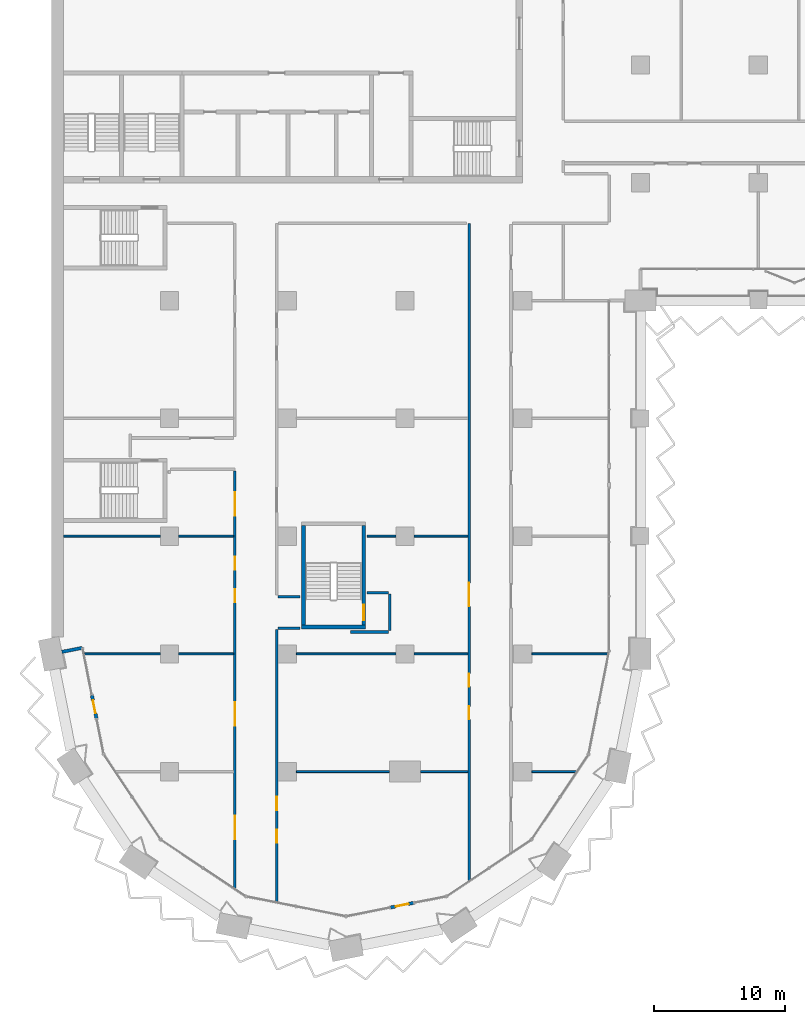
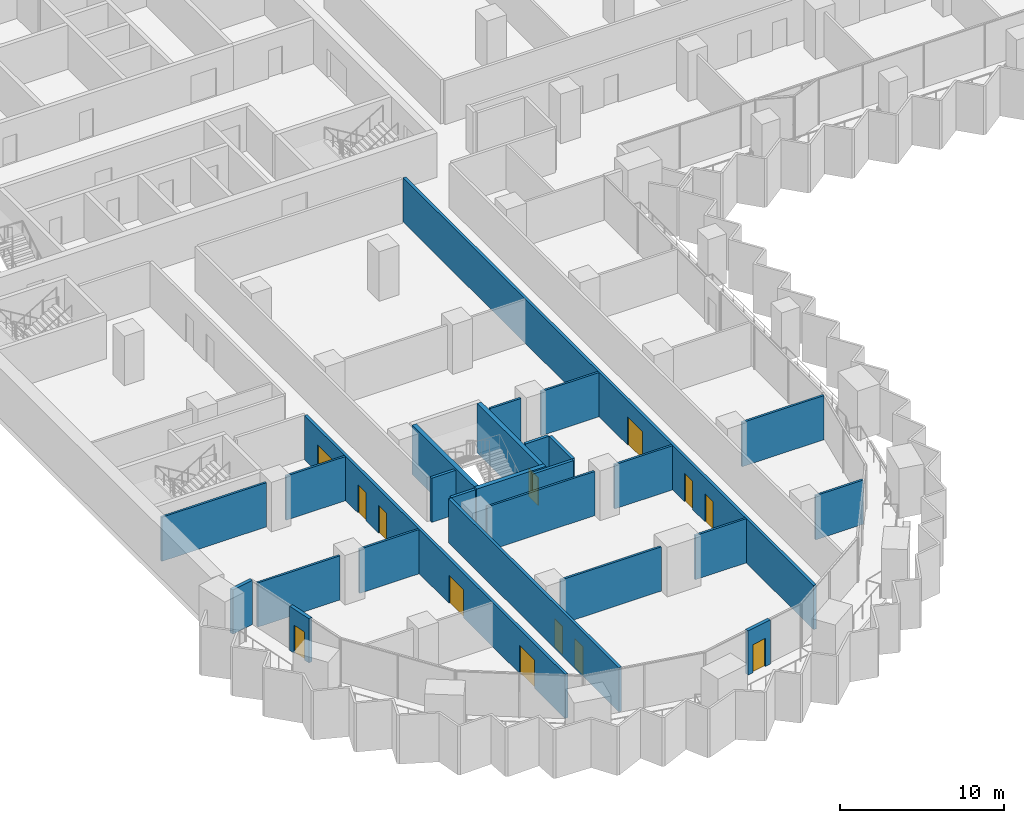
# One storey, part 10 of 28: 26 walls, 13 doors, 13 openings.
"""IFC4 building model written with IfcOpenShell, lengths in metres."""

import ifcopenshell
import ifcopenshell.guid

model = None  # the IFC model being written
_history = None  # IfcOwnerHistory: only IFC2X3 demands one
_inside = {}  # id of a spatial element -> (the spatial element, [elements in it])
_under = {}  # id of a project, library or spatial element -> (it, [spatial elements below it])
_declared = {}  # id of a project -> (the project, [libraries it declares])
_typed = {}  # id of a type object -> (the type object, [elements of that type])
_made_of = {}  # id of a material, layer set ... -> (it, [elements and type objects made of it])


def new_model(schema):
    """Start an empty IFC model of exactly this schema.

    Asked for "IFC4X3", IfcOpenShell would pick the latest addendum, in which some entities
    have other attributes; the version numbers below select the first issue.
    IFC2X3 requires an IfcOwnerHistory on every rooted entity: one is made here for all.
    """
    global model, _history
    if schema == "IFC4X3":
        model = ifcopenshell.file(schema_version=(4, 3, 0, 0))
    else:
        model = ifcopenshell.file(schema=schema)
    _inside.clear()
    _under.clear()
    _declared.clear()
    _typed.clear()
    _made_of.clear()
    _history = None
    if model.schema == "IFC2X3":
        org = make("IfcOrganization", Name="unknown")
        user = make(
            "IfcPersonAndOrganization",
            ThePerson=make("IfcPerson", FamilyName="unknown"),
            TheOrganization=org,
        )
        app = make(
            "IfcApplication",
            ApplicationDeveloper=org,
            Version="unknown",
            ApplicationFullName="unknown",
            ApplicationIdentifier="unknown",
        )
        _history = make(
            "IfcOwnerHistory",
            OwningUser=user,
            OwningApplication=app,
            ChangeAction="ADDED",
            CreationDate=0,
        )
    return model


def make(cls, **values):
    """One entity of the class cls with the attributes given. An attribute that is None is left unset."""
    return model.create_entity(
        cls, **{name: value for name, value in values.items() if value is not None}
    )


def rooted(cls, **values):
    """An entity with a GlobalId (a new one), such as an element, a storey or a relation."""
    return make(cls, GlobalId=ifcopenshell.guid.new(), OwnerHistory=_history, **values)


def si_unit(unit_type, name, prefix=None):
    """IfcSIUnit, for example si_unit("LENGTHUNIT", "METRE", prefix="MILLI")."""
    return make("IfcSIUnit", UnitType=unit_type, Prefix=prefix, Name=name)


def assignment(units):
    """IfcUnitAssignment: the units of a project."""
    return None if units is None else make("IfcUnitAssignment", Units=units)


def point(xyz):
    """IfcCartesianPoint."""
    return None if xyz is None else make("IfcCartesianPoint", Coordinates=xyz)


def direction(xyz):
    """IfcDirection."""
    return None if xyz is None else make("IfcDirection", DirectionRatios=xyz)


def frame(location, z_axis=None, x_axis=None):
    """IfcAxis2Placement3D, a coordinate frame: its origin and axes. An axis left out is left unset."""
    return make(
        "IfcAxis2Placement3D",
        Location=point(location),
        Axis=direction(z_axis),
        RefDirection=direction(x_axis),
    )


def frame_2d(location, x_axis=None):
    """IfcAxis2Placement2D, a coordinate frame in the plane: its origin and x axis."""
    return make(
        "IfcAxis2Placement2D", Location=point(location), RefDirection=direction(x_axis)
    )


def origin():
    """The frame at (0, 0, 0) with its axes left unset."""
    return frame((0.0, 0.0, 0.0))


def place(relative_to, where):
    """IfcLocalPlacement: puts the frame where relative to a parent placement (None: the world)."""
    return make(
        "IfcLocalPlacement", PlacementRelTo=relative_to, RelativePlacement=where
    )


def context(
    kind, dimensions, precision=None, world=None, true_north=None, identifier=None
):
    """IfcGeometricRepresentationContext, for example the 3D "Model" context."""
    return make(
        "IfcGeometricRepresentationContext",
        ContextIdentifier=identifier,
        ContextType=kind,
        CoordinateSpaceDimension=dimensions,
        Precision=precision,
        WorldCoordinateSystem=world,
        TrueNorth=true_north,
    )


def subcontext(parent, identifier, kind, view, scale=None):
    """IfcGeometricRepresentationSubContext, for example "Body" below "Model"."""
    return make(
        "IfcGeometricRepresentationSubContext",
        ContextIdentifier=identifier,
        ContextType=kind,
        ParentContext=parent,
        TargetScale=scale,
        TargetView=view,
    )


def project(units=None, contexts=None):
    """IfcProject with its units and contexts."""
    return rooted(
        "IfcProject",
        Name="project",
        RepresentationContexts=contexts,
        UnitsInContext=assignment(units),
    )


def spatial(cls, under=None, at=None, **own):
    """A site, building, storey or space (cls), placed at a placement, below another one or the project."""
    s = rooted(cls, ObjectPlacement=at, **own)
    if under is not None:
        _under.setdefault(under.id(), (under, []))[1].append(s)
    return s


def profile(cls, at=None, kind="AREA", **sizes):
    """A parametric profile (cls). Its sizes go by their IFC names, for example OverallWidth=200.0."""
    return make(cls, ProfileType=kind, Position=at, **sizes)


def rectangle(**sizes):
    """IfcRectangleProfileDef."""
    return profile("IfcRectangleProfileDef", **sizes)


def extrude(swept, where, along, depth):
    """IfcExtrudedAreaSolid: the profile swept, set in the frame where, extruded along a direction by depth."""
    return make(
        "IfcExtrudedAreaSolid",
        SweptArea=swept,
        Position=where,
        ExtrudedDirection=direction(along),
        Depth=depth,
    )


def shape(context_of_items, identifier, shape_type, items):
    """IfcShapeRepresentation: the items that make up one representation, for example the "Body"."""
    return make(
        "IfcShapeRepresentation",
        ContextOfItems=context_of_items,
        RepresentationIdentifier=identifier,
        RepresentationType=shape_type,
        Items=items,
    )


def material(Name=None, Category=None):
    """IfcMaterial."""
    return make("IfcMaterial", Name=Name, Category=Category)


def layer(
    of_material, thickness, ventilated=None, Name=None, Category=None, Priority=None
):
    """IfcMaterialLayer: one layer of a wall or slab, of a material (None: an air gap)."""
    return make(
        "IfcMaterialLayer",
        Material=of_material,
        LayerThickness=thickness,
        IsVentilated=ventilated,
        Name=Name,
        Category=Category,
        Priority=Priority,
    )


def layer_set(layers, Name=None):
    """IfcMaterialLayerSet."""
    return make("IfcMaterialLayerSet", MaterialLayers=layers, LayerSetName=Name)


def made_of(thing, what):
    """Note that an element or type object is made of a material, layer set ...; save() writes the relation."""
    if what is not None:
        _made_of.setdefault(what.id(), (what, []))[1].append(thing)
    return thing


def type_object(cls, material=None, **own):
    """A type object (cls), such as IfcWallType, which elements share."""
    return made_of(rooted(cls, **own), material)


def element(
    cls,
    number,
    at=None,
    inside=None,
    cuts=None,
    type_object=None,
    material=None,
    context=None,
    identifier="Body",
    shape_type=None,
    held_by="IfcProductDefinitionShape",
    body=None,
    shapes=None,
    **own,
):
    """One element of the class cls, such as IfcWall. Its Tag is "e" and its number.

    at: its placement. inside: the storey or other place that contains it. cuts: it is an
    opening in that element (IfcRelVoidsElement). A single representation is given by context,
    identifier, shape_type and body (its items); several are given by shapes. held_by: the class
    of the entity that holds the representations. save() writes the other relations.
    """
    e = rooted(cls, Tag="e%d" % number, ObjectPlacement=at, **own)
    if body is not None:
        shapes = [shape(context, identifier, shape_type, body)]
    if shapes is not None:
        e.Representation = make(held_by, Representations=shapes)
    if inside is not None:
        _inside.setdefault(inside.id(), (inside, []))[1].append(e)
    if cuts is not None:
        rooted(
            "IfcRelVoidsElement", RelatingBuildingElement=cuts, RelatedOpeningElement=e
        )
    if type_object is not None:
        _typed.setdefault(type_object.id(), (type_object, []))[1].append(e)
    return made_of(e, material)


def fill(opening, filler):
    """IfcRelFillsElement: the door or window that sits in an opening."""
    return rooted(
        "IfcRelFillsElement",
        RelatingOpeningElement=opening,
        RelatedBuildingElement=filler,
    )


def aggregate(whole, parts):
    """IfcRelAggregates: a whole, such as a stair, and the parts it consists of."""
    return rooted("IfcRelAggregates", RelatingObject=whole, RelatedObjects=parts)


def save(model, path):
    """Write the relations noted so far, then the file.

    IfcRelAggregates (storeys below a building ...), IfcRelContainedInSpatialStructure (elements
    in a storey), IfcRelDefinesByType, IfcRelAssociatesMaterial and IfcRelDeclares: one each for
    every whole, place, type object, material and project.
    """
    for whole, parts in _under.values():
        aggregate(whole, parts)
    for where, things in _inside.values():
        rooted(
            "IfcRelContainedInSpatialStructure",
            RelatedElements=things,
            RelatingStructure=where,
        )
    for kind, things in _typed.values():
        rooted("IfcRelDefinesByType", RelatedObjects=things, RelatingType=kind)
    for what, things in _made_of.values():
        rooted("IfcRelAssociatesMaterial", RelatedObjects=things, RelatingMaterial=what)
    for by, libraries in _declared.values():
        rooted("IfcRelDeclares", RelatingContext=by, RelatedDefinitions=libraries)
    model.write(path)


model = new_model("IFC4")

# Units and contexts
model_context = context("Model", 3, precision=1e-05, world=origin(), true_north=direction((0.0, 1.0)))
body_context = subcontext(model_context, "Body", "Model", "MODEL_VIEW")
ifc_project = project(units=[si_unit("LENGTHUNIT", "METRE"), si_unit("AREAUNIT", "SQUARE_METRE"), si_unit("VOLUMEUNIT", "CUBIC_METRE"), si_unit("PLANEANGLEUNIT", "RADIAN"), si_unit("MASSUNIT", "GRAM", prefix="KILO")], contexts=[model_context])

# Site, building, storey
site_placement = place(None, origin())
site = spatial("IfcSite", under=ifc_project, at=site_placement, CompositionType="ELEMENT")
building_placement = place(site_placement, origin())
building = spatial("IfcBuilding", under=site, at=building_placement, Name="Hunhe Ridgeline Campus", CompositionType="ELEMENT")
storey_placement = place(building_placement, frame((0.0, 0.0, 43.199951171875)))
storey = spatial("IfcBuildingStorey", under=building, at=storey_placement, Name="L09", CompositionType="ELEMENT", Elevation=43.199951171875)

# Walls
ifc_material_1 = material(Name="Concrete C30", Category="concrete")
ifc_layer_1 = layer(ifc_material_1, 0.25)
ifc_layer_set_1 = layer_set([ifc_layer_1], Name="Corner return wall 250 Concrete C30")
wall_type_1 = type_object("IfcWallType", Name="Corner return wall 250 Concrete C30", PredefinedType="SOLIDWALL", material=ifc_layer_set_1)
wall_1_placement = place(storey_placement, frame((0.784423828125, 27.15673828125, 0.0), z_axis=(0.0, 0.0, 1.0), x_axis=(0.980826234823, 0.19488431718, 0.0)))
element("IfcWall", 1, at=wall_1_placement, inside=storey, type_object=wall_type_1, Name="Corner return wall 1", PredefinedType="SOLIDWALL", context=body_context, shape_type="SweptSolid", body=[
    extrude(rectangle(XDim=1.60107421875, YDim=0.25, at=frame_2d((0.800537109375, 0.0))), origin(), (0.0, 0.0, 1.0), 3.300048828125),
])
ifc_material_2 = material(Name="Gypsum board partition")
ifc_layer_2 = layer(ifc_material_2, 0.199951171875)
ifc_layer_set_2 = layer_set([ifc_layer_2], Name="Corridor partition 200 gypsum board on steel studs")
wall_type_2 = type_object("IfcWallType", Name="Corridor partition 200 gypsum board on steel studs", PredefinedType="PARTITIONING", material=ifc_layer_set_2)
wall_2_placement = place(storey_placement, frame((25.75, 28.675048828125, 0.0), z_axis=(0.0, 0.0, 1.0), x_axis=(-1.0, 0.0, 0.0)))
element("IfcWall", 2, at=wall_2_placement, inside=storey, type_object=wall_type_2, Name="F-L09-wall-011", PredefinedType="PARTITIONING", context=body_context, shape_type="SweptSolid", body=[
    extrude(rectangle(XDim=2.89990234375, YDim=0.199951171875, at=frame_2d((1.449951171875, 0.0))), origin(), (0.0, 0.0, 1.0), 3.300048828125),
])
for number, where, z_axis, x_axis, name in (
    (3, (18.99609375, 28.97509765625, 0.0), (0.0, 0.0, 1.0), (-1.0, 0.0, 0.0), "F-L09-wall-012"),
    (4, (17.300048828125, 31.375, 0.0), (0.0, 0.0, 1.0), (1.0, 0.0, 0.0), "F-L09-wall-013"),
):
    element("IfcWall", number, at=place(storey_placement, frame(where, z_axis=z_axis, x_axis=x_axis)), inside=storey, type_object=wall_type_2, Name=name, PredefinedType="PARTITIONING", context=body_context, shape_type="SweptSolid", body=[
        extrude(rectangle(XDim=1.696044921875, YDim=0.199951171875, at=frame_2d((0.84814453125, 0.0))), origin(), (0.0, 0.0, 1.0), 3.300048828125),
    ])
wall_3_placement = place(storey_placement, frame((24.10400390625, 31.675048828125, 0.0), z_axis=(0.0, 0.0, 1.0), x_axis=(1.0, 0.0, 0.0)))
element("IfcWall", 5, at=wall_3_placement, inside=storey, type_object=wall_type_2, Name="F-L09-wall-014", PredefinedType="PARTITIONING", context=body_context, shape_type="SweptSolid", body=[
    extrude(rectangle(XDim=1.64599609375, YDim=0.199951171875, at=frame_2d((0.822998046875, 0.0))), origin(), (0.0, 0.0, 1.0), 3.300048828125),
])

# Wall, openings, doors
wall_4_placement = place(storey_placement, frame((14.0, 9.091552734375, 0.0), z_axis=(0.0, 0.0, 1.0), x_axis=(0.0, 1.0, 0.0)))
wall_4 = element("IfcWall", 6, at=wall_4_placement, inside=storey, type_object=wall_type_2, Name="F-L09-wall-046", PredefinedType="PARTITIONING", context=body_context, shape_type="SweptSolid", body=[
    extrude(rectangle(XDim=31.8798828125, YDim=0.199951171875, at=frame_2d((15.93994140625, 0.0))), origin(), (0.0, 0.0, 1.0), 3.300048828125),
])
opening_1_placement = place(wall_4_placement, frame((3.743896484375, 0.0, 0.0)))
opening_1 = element("IfcOpeningElement", 7, at=opening_1_placement, cuts=wall_4, Name="Opening RD2-002", PredefinedType="OPENING", context=body_context, shape_type="SweptSolid", body=[
    extrude(rectangle(XDim=1.800048828125, YDim=2.10009765625, at=frame_2d((0.89990234375, 1.050048828125))), frame((0.0, 0.10009765625, 0.0), z_axis=(0.0, -1.0, 0.0), x_axis=(1.0, 0.0, 0.0)), (0.0, 0.0, 1.0), 0.199951171875),
])
opening_2_placement = place(wall_4_placement, frame((12.404296875, 0.0, 0.0)))
opening_2 = element("IfcOpeningElement", 8, at=opening_2_placement, cuts=wall_4, Name="Opening RD2-005", PredefinedType="OPENING", context=body_context, shape_type="SweptSolid", body=[
    extrude(rectangle(XDim=1.800048828125, YDim=2.10009765625, at=frame_2d((0.89990234375, 1.050048828125))), frame((0.0, 0.10009765625, 0.0), z_axis=(0.0, -1.0, 0.0), x_axis=(1.0, 0.0, 0.0)), (0.0, 0.0, 1.0), 0.199951171875),
])
opening_3_placement = place(wall_4_placement, frame((21.841064453125, 0.0, 0.0)))
opening_3 = element("IfcOpeningElement", 9, at=opening_3_placement, cuts=wall_4, Name="Opening RD1-009", PredefinedType="OPENING", context=body_context, shape_type="SweptSolid", body=[
    extrude(rectangle(XDim=1.0, YDim=2.10009765625, at=frame_2d((0.5, 1.050048828125))), frame((0.0, 0.10009765625, 0.0), z_axis=(0.0, -1.0, 0.0), x_axis=(1.0, 0.0, 0.0)), (0.0, 0.0, 1.0), 0.199951171875),
])
opening_4_placement = place(wall_4_placement, frame((24.341064453125, 0.0, 0.0)))
opening_4 = element("IfcOpeningElement", 10, at=opening_4_placement, cuts=wall_4, Name="Opening RD1-012", PredefinedType="OPENING", context=body_context, shape_type="SweptSolid", body=[
    extrude(rectangle(XDim=1.0, YDim=2.10009765625, at=frame_2d((0.5, 1.050048828125))), frame((0.0, 0.10009765625, 0.0), z_axis=(0.0, -1.0, 0.0), x_axis=(1.0, 0.0, 0.0)), (0.0, 0.0, 1.0), 0.199951171875),
])
opening_5_placement = place(wall_4_placement, frame((28.469482421875, 0.0, 0.0)))
opening_5 = element("IfcOpeningElement", 11, at=opening_5_placement, cuts=wall_4, Name="Opening RD2-013", PredefinedType="OPENING", context=body_context, shape_type="SweptSolid", body=[
    extrude(rectangle(XDim=1.800048828125, YDim=2.10009765625, at=frame_2d((0.89990234375, 1.050048828125))), frame((0.0, 0.10009765625, 0.0), z_axis=(0.0, -1.0, 0.0), x_axis=(1.0, 0.0, 0.0)), (0.0, 0.0, 1.0), 0.199951171875),
])
ifc_material_3 = material(Name="Timber door leaf", Category="wood")
door_type_1 = type_object("IfcDoorType", Name="Double fire door 1800x2100 timber FD60", OperationType="DOUBLE_DOOR_SINGLE_SWING", PredefinedType="DOOR", material=ifc_material_3)
door_1_placement = place(opening_1_placement, origin())
door_1 = element("IfcDoor", 12, at=door_1_placement, inside=storey, type_object=door_type_1, Name="F-L09-door-002", OperationType="DOUBLE_DOOR_SINGLE_SWING", OverallHeight=2.10009765625, OverallWidth=1.800048828125, PredefinedType="DOOR", context=body_context, shape_type="SweptSolid", body=[
    extrude(rectangle(XDim=1.800048828125, YDim=2.10009765625, at=frame_2d((0.89990234375, 1.050048828125))), frame((0.0, 0.02490234375, 0.0), z_axis=(0.0, -1.0, 0.0), x_axis=(1.0, 0.0, 0.0)), (0.0, 0.0, 1.0), 0.050048828125),
])
fill(opening_1, door_1)
door_2_placement = place(opening_2_placement, origin())
door_2 = element("IfcDoor", 13, at=door_2_placement, inside=storey, type_object=door_type_1, Name="F-L09-door-005", OperationType="DOUBLE_DOOR_SINGLE_SWING", OverallHeight=2.10009765625, OverallWidth=1.800048828125, PredefinedType="DOOR", context=body_context, shape_type="SweptSolid", body=[
    extrude(rectangle(XDim=1.800048828125, YDim=2.10009765625, at=frame_2d((0.89990234375, 1.050048828125))), frame((0.0, 0.02490234375, 0.0), z_axis=(0.0, -1.0, 0.0), x_axis=(1.0, 0.0, 0.0)), (0.0, 0.0, 1.0), 0.050048828125),
])
fill(opening_2, door_2)
door_3_placement = place(opening_5_placement, origin())
door_3 = element("IfcDoor", 14, at=door_3_placement, inside=storey, type_object=door_type_1, Name="F-L09-door-013", OperationType="DOUBLE_DOOR_SINGLE_SWING", OverallHeight=2.10009765625, OverallWidth=1.800048828125, PredefinedType="DOOR", context=body_context, shape_type="SweptSolid", body=[
    extrude(rectangle(XDim=1.800048828125, YDim=2.10009765625, at=frame_2d((0.89990234375, 1.050048828125))), frame((0.0, 0.02490234375, 0.0), z_axis=(0.0, -1.0, 0.0), x_axis=(1.0, 0.0, 0.0)), (0.0, 0.0, 1.0), 0.050048828125),
])
fill(opening_5, door_3)
door_type_2 = type_object("IfcDoorType", Name="Single fire door 1000x2100 timber FD60", OperationType="NOTDEFINED", PredefinedType="DOOR", material=ifc_material_3)
door_4_placement = place(opening_3_placement, frame((1.0, 0.0, 0.0), z_axis=(0.0, 0.0, 1.0), x_axis=(-1.0, 0.0, 0.0)))
door_4 = element("IfcDoor", 15, at=door_4_placement, inside=storey, type_object=door_type_2, Name="F-L09-door-009", OperationType="SINGLE_SWING_LEFT", OverallHeight=2.10009765625, OverallWidth=1.0, PredefinedType="DOOR", context=body_context, shape_type="SweptSolid", body=[
    extrude(rectangle(XDim=1.0, YDim=2.10009765625, at=frame_2d((0.5, 1.050048828125))), frame((0.0, 0.02490234375, 0.0), z_axis=(0.0, -1.0, 0.0), x_axis=(1.0, 0.0, 0.0)), (0.0, 0.0, 1.0), 0.050048828125),
])
fill(opening_3, door_4)
door_5_placement = place(opening_4_placement, frame((1.0, 0.0, 0.0), z_axis=(0.0, 0.0, 1.0), x_axis=(-1.0, 0.0, 0.0)))
door_5 = element("IfcDoor", 16, at=door_5_placement, inside=storey, type_object=door_type_2, Name="F-L09-door-012", OperationType="SINGLE_SWING_LEFT", OverallHeight=2.10009765625, OverallWidth=1.0, PredefinedType="DOOR", context=body_context, shape_type="SweptSolid", body=[
    extrude(rectangle(XDim=1.0, YDim=2.10009765625, at=frame_2d((0.5, 1.050048828125))), frame((0.0, 0.02490234375, 0.0), z_axis=(0.0, -1.0, 0.0), x_axis=(1.0, 0.0, 0.0)), (0.0, 0.0, 1.0), 0.050048828125),
])
fill(opening_4, door_5)

wall_5_placement = place(storey_placement, frame((17.199951171875, 28.875, 0.0), z_axis=(0.0, 0.0, 1.0), x_axis=(0.0, -1.0, 0.0)))
wall_5 = element("IfcWall", 17, at=wall_5_placement, inside=storey, type_object=wall_type_2, Name="F-L09-wall-048", PredefinedType="PARTITIONING", context=body_context, shape_type="SweptSolid", body=[
    extrude(rectangle(XDim=20.817626953125, YDim=0.199951171875, at=frame_2d((10.40869140625, 0.0))), origin(), (0.0, 0.0, 1.0), 3.300048828125),
])
opening_6_placement = place(wall_5_placement, frame((15.301513671875, 0.0, 0.0)))
opening_6 = element("IfcOpeningElement", 18, at=opening_6_placement, cuts=wall_5, Name="Opening RD1-001", PredefinedType="OPENING", context=body_context, shape_type="SweptSolid", body=[
    extrude(rectangle(XDim=1.0, YDim=2.10009765625, at=frame_2d((0.5, 1.050048828125))), frame((0.0, 0.10009765625, 0.0), z_axis=(0.0, -1.0, 0.0), x_axis=(1.0, 0.0, 0.0)), (0.0, 0.0, 1.0), 0.199951171875),
])
opening_7_placement = place(wall_5_placement, frame((12.801513671875, 0.0, 0.0)))
opening_7 = element("IfcOpeningElement", 19, at=opening_7_placement, cuts=wall_5, Name="Opening RD1-004", PredefinedType="OPENING", context=body_context, shape_type="SweptSolid", body=[
    extrude(rectangle(XDim=1.0, YDim=2.10009765625, at=frame_2d((0.5, 1.050048828125))), frame((0.0, 0.10009765625, 0.0), z_axis=(0.0, -1.0, 0.0), x_axis=(1.0, 0.0, 0.0)), (0.0, 0.0, 1.0), 0.199951171875),
])
door_6_placement = place(opening_6_placement, frame((1.0, 0.0, 0.0), z_axis=(0.0, 0.0, 1.0), x_axis=(-1.0, 0.0, 0.0)))
door_6 = element("IfcDoor", 20, at=door_6_placement, inside=storey, type_object=door_type_2, Name="F-L09-door-001", OperationType="SINGLE_SWING_LEFT", OverallHeight=2.10009765625, OverallWidth=1.0, PredefinedType="DOOR", context=body_context, shape_type="SweptSolid", body=[
    extrude(rectangle(XDim=1.0, YDim=2.10009765625, at=frame_2d((0.5, 1.050048828125))), frame((0.0, 0.02490234375, 0.0), z_axis=(0.0, -1.0, 0.0), x_axis=(1.0, 0.0, 0.0)), (0.0, 0.0, 1.0), 0.050048828125),
])
fill(opening_6, door_6)
door_7_placement = place(opening_7_placement, frame((1.0, 0.0, 0.0), z_axis=(0.0, 0.0, 1.0), x_axis=(-1.0, 0.0, 0.0)))
door_7 = element("IfcDoor", 21, at=door_7_placement, inside=storey, type_object=door_type_2, Name="F-L09-door-004", OperationType="SINGLE_SWING_RIGHT", OverallHeight=2.10009765625, OverallWidth=1.0, PredefinedType="DOOR", context=body_context, shape_type="SweptSolid", body=[
    extrude(rectangle(XDim=1.0, YDim=2.10009765625, at=frame_2d((0.5, 1.050048828125))), frame((0.0, 0.02490234375, 0.0), z_axis=(0.0, -1.0, 0.0), x_axis=(1.0, 0.0, 0.0)), (0.0, 0.0, 1.0), 0.050048828125),
])
fill(opening_7, door_7)

# Wall
wall_6_placement = place(storey_placement, frame((25.85009765625, 31.574951171875, 0.0), z_axis=(0.0, 0.0, 1.0), x_axis=(0.0, -1.0, 0.0)))
element("IfcWall", 22, at=wall_6_placement, inside=storey, type_object=wall_type_2, Name="F-L09-wall-050", PredefinedType="PARTITIONING", context=body_context, shape_type="SweptSolid", body=[
    extrude(rectangle(XDim=2.800048828125, YDim=0.199951171875, at=frame_2d((1.39990234375, 0.0))), origin(), (0.0, 0.0, 1.0), 3.300048828125),
])

# Wall, openings, doors
wall_7_placement = place(storey_placement, frame((31.89990234375, 9.69287109375, 0.0), z_axis=(0.0, 0.0, 1.0), x_axis=(0.0, 1.0, 0.0)))
wall_7 = element("IfcWall", 23, at=wall_7_placement, inside=storey, type_object=wall_type_2, Name="F-L09-wall-051", PredefinedType="PARTITIONING", context=body_context, shape_type="SweptSolid", body=[
    extrude(rectangle(XDim=50.20703125, YDim=0.199951171875, at=frame_2d((25.103515625, 0.0))), origin(), (0.0, 0.0, 1.0), 3.300048828125),
])
opening_8_placement = place(wall_7_placement, frame((12.302734375, 0.0, 0.0)))
opening_8 = element("IfcOpeningElement", 24, at=opening_8_placement, cuts=wall_7, Name="Opening RD1-007", PredefinedType="OPENING", context=body_context, shape_type="SweptSolid", body=[
    extrude(rectangle(XDim=1.0, YDim=2.10009765625, at=frame_2d((0.5, 1.050048828125))), frame((0.0, 0.10009765625, 0.0), z_axis=(0.0, -1.0, 0.0), x_axis=(1.0, 0.0, 0.0)), (0.0, 0.0, 1.0), 0.199951171875),
])
opening_9_placement = place(wall_7_placement, frame((14.802734375, 0.0, 0.0)))
opening_9 = element("IfcOpeningElement", 25, at=opening_9_placement, cuts=wall_7, Name="Opening RD1-008", PredefinedType="OPENING", context=body_context, shape_type="SweptSolid", body=[
    extrude(rectangle(XDim=1.0, YDim=2.10009765625, at=frame_2d((0.5, 1.050048828125))), frame((0.0, 0.10009765625, 0.0), z_axis=(0.0, -1.0, 0.0), x_axis=(1.0, 0.0, 0.0)), (0.0, 0.0, 1.0), 0.199951171875),
])
opening_10_placement = place(wall_7_placement, frame((20.940185546875, 0.0, 0.0)))
opening_10 = element("IfcOpeningElement", 26, at=opening_10_placement, cuts=wall_7, Name="Opening RD2-011", PredefinedType="OPENING", context=body_context, shape_type="SweptSolid", body=[
    extrude(rectangle(XDim=1.800048828125, YDim=2.10009765625, at=frame_2d((0.89990234375, 1.050048828125))), frame((0.0, 0.10009765625, 0.0), z_axis=(0.0, -1.0, 0.0), x_axis=(1.0, 0.0, 0.0)), (0.0, 0.0, 1.0), 0.199951171875),
])
door_8_placement = place(opening_10_placement, origin())
door_8 = element("IfcDoor", 27, at=door_8_placement, inside=storey, type_object=door_type_1, Name="F-L09-door-011", OperationType="DOUBLE_DOOR_SINGLE_SWING", OverallHeight=2.10009765625, OverallWidth=1.800048828125, PredefinedType="DOOR", context=body_context, shape_type="SweptSolid", body=[
    extrude(rectangle(XDim=1.800048828125, YDim=2.10009765625, at=frame_2d((0.89990234375, 1.050048828125))), frame((0.0, 0.02490234375, 0.0), z_axis=(0.0, -1.0, 0.0), x_axis=(1.0, 0.0, 0.0)), (0.0, 0.0, 1.0), 0.050048828125),
])
fill(opening_10, door_8)
door_9_placement = place(opening_8_placement, frame((1.0, 0.0, 0.0), z_axis=(0.0, 0.0, 1.0), x_axis=(-1.0, 0.0, 0.0)))
door_9 = element("IfcDoor", 28, at=door_9_placement, inside=storey, type_object=door_type_2, Name="F-L09-door-007", OperationType="SINGLE_SWING_LEFT", OverallHeight=2.10009765625, OverallWidth=1.0, PredefinedType="DOOR", context=body_context, shape_type="SweptSolid", body=[
    extrude(rectangle(XDim=1.0, YDim=2.10009765625, at=frame_2d((0.5, 1.050048828125))), frame((0.0, 0.02490234375, 0.0), z_axis=(0.0, -1.0, 0.0), x_axis=(1.0, 0.0, 0.0)), (0.0, 0.0, 1.0), 0.050048828125),
])
fill(opening_8, door_9)
door_10_placement = place(opening_9_placement, frame((1.0, 0.0, 0.0), z_axis=(0.0, 0.0, 1.0), x_axis=(-1.0, 0.0, 0.0)))
door_10 = element("IfcDoor", 29, at=door_10_placement, inside=storey, type_object=door_type_2, Name="F-L09-door-008", OperationType="SINGLE_SWING_LEFT", OverallHeight=2.10009765625, OverallWidth=1.0, PredefinedType="DOOR", context=body_context, shape_type="SweptSolid", body=[
    extrude(rectangle(XDim=1.0, YDim=2.10009765625, at=frame_2d((0.5, 1.050048828125))), frame((0.0, 0.02490234375, 0.0), z_axis=(0.0, -1.0, 0.0), x_axis=(1.0, 0.0, 0.0)), (0.0, 0.0, 1.0), 0.050048828125),
])
fill(opening_9, door_10)

# Wall, opening, door
ifc_layer_3 = layer(ifc_material_1, 0.25)
ifc_layer_set_3 = layer_set([ifc_layer_3], Name="Loggia door pier wall 250 Concrete C30")
wall_type_3 = type_object("IfcWallType", Name="Loggia door pier wall 250 Concrete C30", PredefinedType="SOLIDWALL", material=ifc_layer_set_3)
wall_8_placement = place(storey_placement, frame((3.076904296875, 23.8388671875, 0.0), z_axis=(0.0, 0.0, 1.0), x_axis=(0.195046569833, -0.980793982239, 0.0)))
wall_8 = element("IfcWall", 30, at=wall_8_placement, inside=storey, type_object=wall_type_3, Name="Loggia door pier 1", PredefinedType="SOLIDWALL", context=body_context, shape_type="SweptSolid", body=[
    extrude(rectangle(XDim=1.800048828125, YDim=0.25, at=frame_2d((0.89990234375, 0.0))), origin(), (0.0, 0.0, 1.0), 3.300048828125),
])
opening_11_placement = place(wall_8_placement, frame((0.39990234375, 0.0, 0.0)))
opening_11 = element("IfcOpeningElement", 31, at=opening_11_placement, cuts=wall_8, Name="Opening BD101", PredefinedType="OPENING", context=body_context, shape_type="SweptSolid", body=[
    extrude(rectangle(XDim=1.0, YDim=2.10009765625, at=frame_2d((0.5, 1.050048828125))), frame((0.0, 0.125, 0.0), z_axis=(0.0, -1.0, 0.0), x_axis=(1.0, 0.0, 0.0)), (0.0, 0.0, 1.0), 0.25),
])
ifc_material_4 = material(Name="Aluminium 6063", Category="aluminium")
door_type_3 = type_object("IfcDoorType", Name="Loggia glazed door 1000x2100", OperationType="NOTDEFINED", PredefinedType="DOOR", material=ifc_material_4)
door_11_placement = place(opening_11_placement, frame((1.0, 0.0, 0.0), z_axis=(0.0, 0.0, 1.0), x_axis=(-1.0, 0.0, 0.0)))
door_11 = element("IfcDoor", 32, at=door_11_placement, inside=storey, type_object=door_type_3, Name="Loggia door BD101", OperationType="SINGLE_SWING_RIGHT", OverallHeight=2.10009765625, OverallWidth=1.0, PredefinedType="DOOR", context=body_context, shape_type="SweptSolid", body=[
    extrude(rectangle(XDim=1.0, YDim=2.10009765625, at=frame_2d((0.5, 1.050048828125))), frame((0.0, 0.02490234375, 0.0), z_axis=(0.0, -1.0, 0.0), x_axis=(1.0, 0.0, 0.0)), (0.0, 0.0, 1.0), 0.050048828125),
])
fill(opening_11, door_11)

wall_9_placement = place(storey_placement, frame((25.8955078125, 7.62353515625, 0.0), z_axis=(0.0, 0.0, 1.0), x_axis=(0.980793982239, 0.195046569833, 0.0)))
wall_9 = element("IfcWall", 33, at=wall_9_placement, inside=storey, type_object=wall_type_3, Name="Loggia door pier 2", PredefinedType="SOLIDWALL", context=body_context, shape_type="SweptSolid", body=[
    extrude(rectangle(XDim=1.800048828125, YDim=0.25, at=frame_2d((0.89990234375, 0.0))), origin(), (0.0, 0.0, 1.0), 3.300048828125),
])
opening_12_placement = place(wall_9_placement, frame((0.39990234375, 0.0, 0.0)))
opening_12 = element("IfcOpeningElement", 34, at=opening_12_placement, cuts=wall_9, Name="Opening BD103", PredefinedType="OPENING", context=body_context, shape_type="SweptSolid", body=[
    extrude(rectangle(XDim=1.0, YDim=2.10009765625, at=frame_2d((0.5, 1.050048828125))), frame((0.0, 0.125, 0.0), z_axis=(0.0, -1.0, 0.0), x_axis=(1.0, 0.0, 0.0)), (0.0, 0.0, 1.0), 0.25),
])
door_12_placement = place(opening_12_placement, frame((1.0, 0.0, 0.0), z_axis=(0.0, 0.0, 1.0), x_axis=(-1.0, 0.0, 0.0)))
door_12 = element("IfcDoor", 35, at=door_12_placement, inside=storey, type_object=door_type_3, Name="Loggia door BD103", OperationType="SINGLE_SWING_RIGHT", OverallHeight=2.10009765625, OverallWidth=1.0, PredefinedType="DOOR", context=body_context, shape_type="SweptSolid", body=[
    extrude(rectangle(XDim=1.0, YDim=2.10009765625, at=frame_2d((0.5, 1.050048828125))), frame((0.0, 0.02490234375, 0.0), z_axis=(0.0, -1.0, 0.0), x_axis=(1.0, 0.0, 0.0)), (0.0, 0.0, 1.0), 0.050048828125),
])
fill(opening_12, door_12)

# Walls
ifc_layer_4 = layer(ifc_material_2, 0.14990234375)
ifc_layer_set_4 = layer_set([ifc_layer_4], Name="Room partition 150 gypsum board on steel studs")
wall_type_4 = type_object("IfcWallType", Name="Room partition 150 gypsum board on steel studs", PredefinedType="PARTITIONING", material=ifc_layer_set_4)
wall_10_placement = place(storey_placement, frame((18.699951171875, 18.0, 0.0), z_axis=(0.0, 0.0, 1.0), x_axis=(1.0, 0.0, 0.0)))
element("IfcWall", 36, at=wall_10_placement, inside=storey, type_object=wall_type_4, Name="F-L09-wall-003", PredefinedType="PARTITIONING", context=body_context, shape_type="SweptSolid", body=[
    extrude(rectangle(XDim=7.10009765625, YDim=0.14990234375, at=frame_2d((3.550048828125, 0.0))), origin(), (0.0, 0.0, 1.0), 3.300048828125),
])
wall_11_placement = place(storey_placement, frame((28.199951171875, 18.0, 0.0), z_axis=(0.0, 0.0, 1.0), x_axis=(1.0, 0.0, 0.0)))
element("IfcWall", 37, at=wall_11_placement, inside=storey, type_object=wall_type_4, Name="F-L09-wall-004", PredefinedType="PARTITIONING", context=body_context, shape_type="SweptSolid", body=[
    extrude(rectangle(XDim=3.60009765625, YDim=0.14990234375, at=frame_2d((1.800048828125, 0.0))), origin(), (0.0, 0.0, 1.0), 3.300048828125),
])
wall_12_placement = place(storey_placement, frame((36.699951171875, 18.0, 0.0), z_axis=(0.0, 0.0, 1.0), x_axis=(1.0, 0.0, 0.0)))
element("IfcWall", 38, at=wall_12_placement, inside=storey, type_object=wall_type_4, Name="F-L09-wall-005", PredefinedType="PARTITIONING", context=body_context, shape_type="SweptSolid", body=[
    extrude(rectangle(XDim=3.37451171875, YDim=0.14990234375, at=frame_2d((1.687255859375, 0.0))), origin(), (0.0, 0.0, 1.0), 3.300048828125),
])
wall_13_placement = place(storey_placement, frame((2.503173828125, 27.0, 0.0), z_axis=(0.0, 0.0, 1.0), x_axis=(1.0, 0.0, 0.0)))
element("IfcWall", 39, at=wall_13_placement, inside=storey, type_object=wall_type_4, Name="F-L09-wall-006", PredefinedType="PARTITIONING", context=body_context, shape_type="SweptSolid", body=[
    extrude(rectangle(XDim=5.796875, YDim=0.14990234375, at=frame_2d((2.8984375, 0.0))), origin(), (0.0, 0.0, 1.0), 3.300048828125),
])
wall_14_placement = place(storey_placement, frame((9.699951171875, 27.0, 0.0), z_axis=(0.0, 0.0, 1.0), x_axis=(1.0, 0.0, 0.0)))
element("IfcWall", 40, at=wall_14_placement, inside=storey, type_object=wall_type_4, Name="F-L09-wall-007", PredefinedType="PARTITIONING", context=body_context, shape_type="SweptSolid", body=[
    extrude(rectangle(XDim=4.199951171875, YDim=0.14990234375, at=frame_2d((2.10009765625, 0.0))), origin(), (0.0, 0.0, 1.0), 3.300048828125),
])
wall_15_placement = place(storey_placement, frame((18.699951171875, 27.0, 0.0), z_axis=(0.0, 0.0, 1.0), x_axis=(1.0, 0.0, 0.0)))
element("IfcWall", 41, at=wall_15_placement, inside=storey, type_object=wall_type_4, Name="F-L09-wall-008", PredefinedType="PARTITIONING", context=body_context, shape_type="SweptSolid", body=[
    extrude(rectangle(XDim=7.60009765625, YDim=0.14990234375, at=frame_2d((3.800048828125, 0.0))), origin(), (0.0, 0.0, 1.0), 3.300048828125),
])
wall_16_placement = place(storey_placement, frame((27.699951171875, 27.0, 0.0), z_axis=(0.0, 0.0, 1.0), x_axis=(1.0, 0.0, 0.0)))
element("IfcWall", 42, at=wall_16_placement, inside=storey, type_object=wall_type_4, Name="F-L09-wall-009", PredefinedType="PARTITIONING", context=body_context, shape_type="SweptSolid", body=[
    extrude(rectangle(XDim=4.10009765625, YDim=0.14990234375, at=frame_2d((2.050048828125, 0.0))), origin(), (0.0, 0.0, 1.0), 3.300048828125),
])
wall_17_placement = place(storey_placement, frame((36.699951171875, 27.0, 0.0), z_axis=(0.0, 0.0, 1.0), x_axis=(1.0, 0.0, 0.0)))
element("IfcWall", 43, at=wall_17_placement, inside=storey, type_object=wall_type_4, Name="F-L09-wall-010", PredefinedType="PARTITIONING", context=body_context, shape_type="SweptSolid", body=[
    extrude(rectangle(XDim=5.796875, YDim=0.14990234375, at=frame_2d((2.8984375, 0.0))), origin(), (0.0, 0.0, 1.0), 3.300048828125),
])
wall_18_placement = place(storey_placement, frame((0.919921875, 36.0, 0.0), z_axis=(0.0, 0.0, 1.0), x_axis=(1.0, 0.0, 0.0)))
element("IfcWall", 44, at=wall_18_placement, inside=storey, type_object=wall_type_4, Name="F-L09-wall-015", PredefinedType="PARTITIONING", context=body_context, shape_type="SweptSolid", body=[
    extrude(rectangle(XDim=7.380126953125, YDim=0.14990234375, at=frame_2d((3.68994140625, 0.0))), origin(), (0.0, 0.0, 1.0), 3.300048828125),
])
wall_19_placement = place(storey_placement, frame((9.699951171875, 36.0, 0.0), z_axis=(0.0, 0.0, 1.0), x_axis=(1.0, 0.0, 0.0)))
element("IfcWall", 45, at=wall_19_placement, inside=storey, type_object=wall_type_4, Name="F-L09-wall-016", PredefinedType="PARTITIONING", context=body_context, shape_type="SweptSolid", body=[
    extrude(rectangle(XDim=4.199951171875, YDim=0.14990234375, at=frame_2d((2.10009765625, 0.0))), origin(), (0.0, 0.0, 1.0), 3.300048828125),
])
wall_20_placement = place(storey_placement, frame((24.10400390625, 36.0, 0.0), z_axis=(0.0, 0.0, 1.0), x_axis=(1.0, 0.0, 0.0)))
element("IfcWall", 46, at=wall_20_placement, inside=storey, type_object=wall_type_4, Name="F-L09-wall-017", PredefinedType="PARTITIONING", context=body_context, shape_type="SweptSolid", body=[
    extrude(rectangle(XDim=2.196044921875, YDim=0.14990234375, at=frame_2d((1.09814453125, 0.0))), origin(), (0.0, 0.0, 1.0), 3.300048828125),
])
wall_21_placement = place(storey_placement, frame((27.699951171875, 36.0, 0.0), z_axis=(0.0, 0.0, 1.0), x_axis=(1.0, 0.0, 0.0)))
element("IfcWall", 47, at=wall_21_placement, inside=storey, type_object=wall_type_4, Name="F-L09-wall-018", PredefinedType="PARTITIONING", context=body_context, shape_type="SweptSolid", body=[
    extrude(rectangle(XDim=4.10009765625, YDim=0.14990234375, at=frame_2d((2.050048828125, 0.0))), origin(), (0.0, 0.0, 1.0), 3.300048828125),
])
ifc_material_5 = material(Name="Concrete C80", Category="concrete")
ifc_layer_5 = layer(ifc_material_5, 0.300048828125)
ifc_layer_set_5 = layer_set([ifc_layer_5], Name="Stair wall 300 reinforced concrete C80")
wall_type_5 = type_object("IfcWallType", Name="Stair wall 300 reinforced concrete C80", PredefinedType="SOLIDWALL", material=ifc_layer_set_5)
wall_22_placement = place(storey_placement, frame((19.10009765625, 29.050048828125, -0.39990234375), z_axis=(0.0, 0.0, 1.0), x_axis=(1.0, 0.0, 0.0)))
element("IfcWall", 48, at=wall_22_placement, inside=storey, type_object=wall_type_5, Name="L09 core wall 1", PredefinedType="SOLIDWALL", context=body_context, shape_type="SweptSolid", body=[
    extrude(rectangle(XDim=4.89990234375, YDim=0.300048828125, at=frame_2d((2.449951171875, 0.0))), origin(), (0.0, 0.0, 1.0), 3.699951171875),
])
wall_23_placement = place(storey_placement, frame((19.25, 29.199951171875, -0.39990234375), z_axis=(0.0, 0.0, 1.0), x_axis=(0.0, 1.0, 0.0)))
element("IfcWall", 49, at=wall_23_placement, inside=storey, type_object=wall_type_5, Name="L09 core wall 51", PredefinedType="SOLIDWALL", context=body_context, shape_type="SweptSolid", body=[
    extrude(rectangle(XDim=7.60009765625, YDim=0.300048828125, at=frame_2d((3.800048828125, 0.0))), origin(), (0.0, 0.0, 1.0), 3.699951171875),
])

# Wall, opening, door
wall_24_placement = place(storey_placement, frame((23.85009765625, 29.199951171875, -0.39990234375), z_axis=(0.0, 0.0, 1.0), x_axis=(0.0, 1.0, 0.0)))
wall_24 = element("IfcWall", 50, at=wall_24_placement, inside=storey, type_object=wall_type_5, Name="L09 core wall 56", PredefinedType="SOLIDWALL", context=body_context, shape_type="SweptSolid", body=[
    extrude(rectangle(XDim=7.60009765625, YDim=0.300048828125, at=frame_2d((3.800048828125, 0.0))), origin(), (0.0, 0.0, 1.0), 3.699951171875),
])
opening_13_placement = place(wall_24_placement, frame((0.375, 0.0, 0.39990234375)))
opening_13 = element("IfcOpeningElement", 51, at=opening_13_placement, cuts=wall_24, Name="Opening CD23", PredefinedType="OPENING", context=body_context, shape_type="SweptSolid", body=[
    extrude(rectangle(XDim=1.199951171875, YDim=2.10009765625, at=frame_2d((0.60009765625, 1.050048828125))), frame((0.0, 0.14990234375, 0.0), z_axis=(0.0, -1.0, 0.0), x_axis=(1.0, 0.0, 0.0)), (0.0, 0.0, 1.0), 0.300048828125),
])
ifc_material_6 = material(Name="Hollow metal fire door leaf")
door_type_4 = type_object("IfcDoorType", Name="Stair door 1200x2100 FD60", OperationType="SINGLE_SWING_LEFT", PredefinedType="DOOR", material=ifc_material_6)
door_13_placement = place(opening_13_placement, frame((1.199951171875, 0.0, 0.0), z_axis=(0.0, 0.0, 1.0), x_axis=(-1.0, 0.0, 0.0)))
door_13 = element("IfcDoor", 52, at=door_13_placement, inside=storey, type_object=door_type_4, Name="L09 door W3", OperationType="SINGLE_SWING_RIGHT", OverallHeight=2.10009765625, OverallWidth=1.199951171875, PredefinedType="DOOR", context=body_context, shape_type="SweptSolid", body=[
    extrude(rectangle(XDim=1.199951171875, YDim=2.10009765625, at=frame_2d((0.60009765625, 1.050048828125))), frame((0.0, 0.02490234375, 0.0), z_axis=(0.0, -1.0, 0.0), x_axis=(1.0, 0.0, 0.0)), (0.0, 0.0, 1.0), 0.050048828125),
])
fill(opening_13, door_13)

save(model, "model.ifc")
